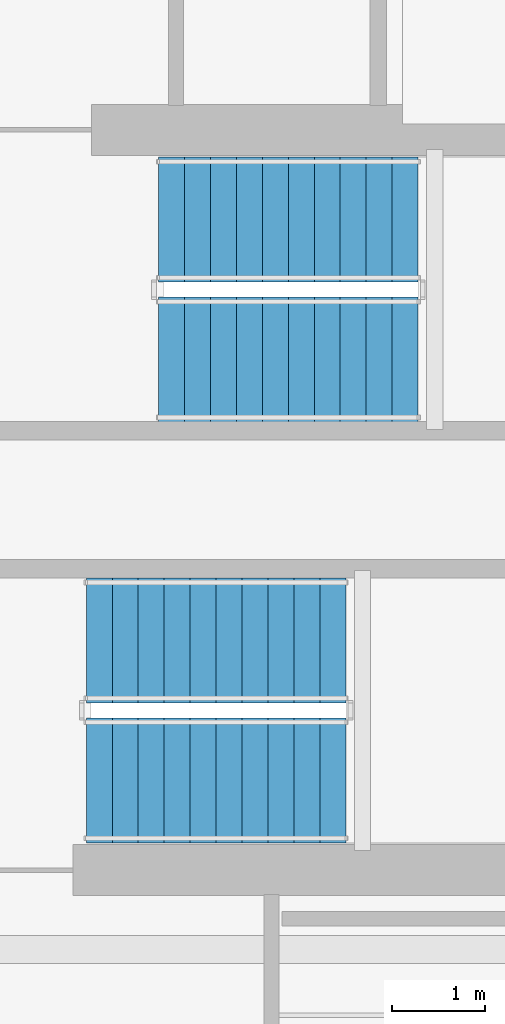
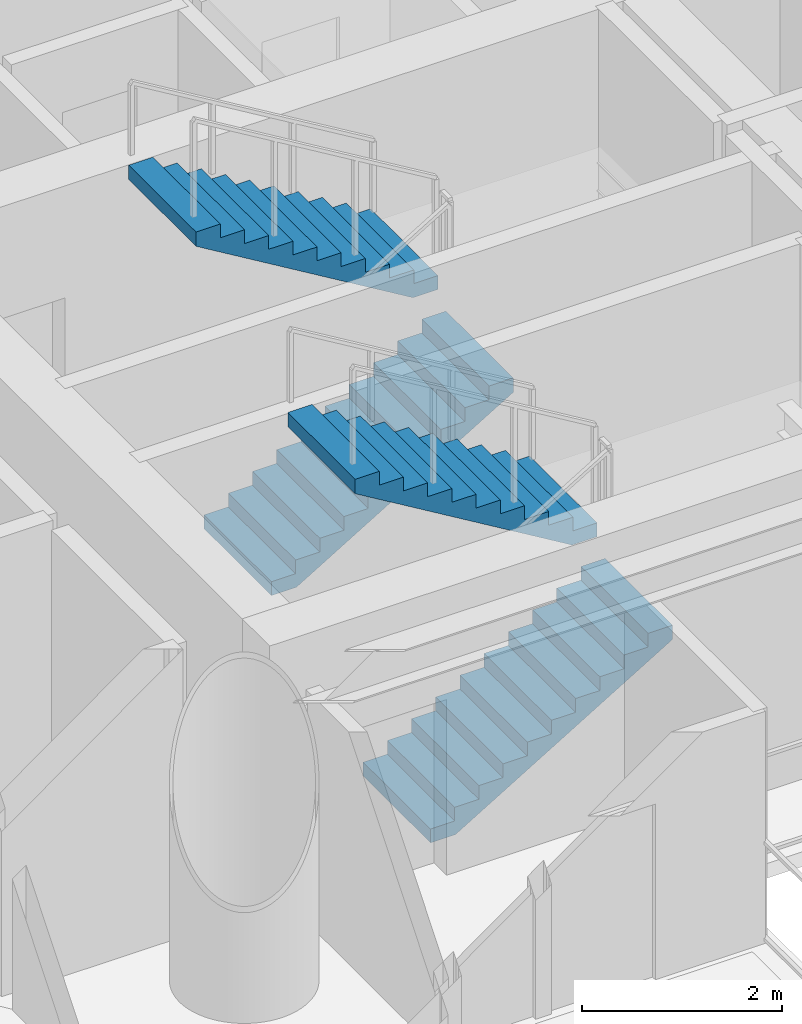
# One storey, part 18 of 21: 4 stair flights, 2 elements without a shape of their own.
"""IFC4 building model written with IfcOpenShell, lengths in metres."""

from ifc_helpers import new_model, si_unit, direction, frame, origin, place, context, subcontext, project, spatial, polyline, outline, extrude, material, type_object, element, aggregate, save


model = new_model("IFC4")

# Units and contexts
model_context = context("Model", 3, precision=1e-05, world=origin(), true_north=direction((0.0, 1.0)))
body_context = subcontext(model_context, "Body", "Model", "MODEL_VIEW")
ifc_project = project(units=[si_unit("LENGTHUNIT", "METRE"), si_unit("AREAUNIT", "SQUARE_METRE"), si_unit("VOLUMEUNIT", "CUBIC_METRE"), si_unit("PLANEANGLEUNIT", "RADIAN"), si_unit("MASSUNIT", "GRAM", prefix="KILO")], contexts=[model_context])

# Site, building, storey
site_placement = place(None, origin())
site = spatial("IfcSite", under=ifc_project, at=site_placement, CompositionType="ELEMENT")
building_placement = place(site_placement, origin())
building = spatial("IfcBuilding", under=site, at=building_placement, Name="Qianvela Tower", CompositionType="ELEMENT")
storey_placement = place(building_placement, frame((0.0, 0.0, 127.39990234375)))
storey = spatial("IfcBuildingStorey", under=building, at=storey_placement, Name="L32", CompositionType="ELEMENT", Elevation=127.39990234375)

# Stair, stair flights
ifc_material_1 = material(Name="Concrete C40", Category="concrete")
stair_type = type_object("IfcStairType", Name="ST-DOGLEG-1350-R168-N22", PredefinedType="HALF_TURN_STAIR", material=ifc_material_1)
stair_1_placement = place(storey_placement, origin())
stair_1 = element("IfcStair", 1, at=stair_1_placement, inside=storey, type_object=stair_type, Name="L32 Smoke-Proof Core Stair ST-1", PredefinedType="HALF_TURN_STAIR")
ifc_material_2 = material(Name="Concrete C40", Category="concrete")
stair_flight_type = type_object("IfcStairFlightType", Name="STF-STRAIGHT-R168-P11", PredefinedType="STRAIGHT", material=ifc_material_2)
stair_flight_1_placement = place(storey_placement, frame((32.199951171875, 30.215087890625, 0.0), z_axis=(0.0, 0.0, 1.0), x_axis=(1.0, 0.0, 0.0)))
stair_flight_1 = element("IfcStairFlight", 2, at=stair_flight_1_placement, type_object=stair_flight_type, Name="ST-1 flight 1", NumberOfRisers=11, NumberOfTreads=10, PredefinedType="STRAIGHT", RiserHeight=0.168181818, TreadLength=0.28, context=body_context, shape_type="SweptSolid", body=[
    extrude(outline(polyline([(0.0, 0.0), (0.0, 0.168212890625), (0.280029296875, 0.168212890625), (0.280029296875, 0.33642578125), (0.56005859375, 0.33642578125), (0.56005859375, 0.504638671875), (0.840087890625, 0.504638671875), (0.840087890625, 0.672607421875), (1.1201171875, 0.672607421875), (1.1201171875, 0.8408203125), (1.39990234375, 0.8408203125), (1.39990234375, 1.009033203125), (1.679931640625, 1.009033203125), (1.679931640625, 1.17724609375), (1.9599609375, 1.17724609375), (1.9599609375, 1.345458984375), (2.239990234375, 1.345458984375), (2.239990234375, 1.513671875), (2.52001953125, 1.513671875), (2.52001953125, 1.681884765625), (2.800048828125, 1.681884765625), (2.800048828125, 1.85009765625), (2.800048828125, 1.5068359375), (0.291015625, 0.0), (0.0, 0.0)])), frame((0.0, 0.675048828125, 0.0), z_axis=(0.0, -1.0, 0.0), x_axis=(1.0, 0.0, 0.0)), (0.0, 0.0, 1.0), 1.35009765625),
])
stair_flight_2_placement = place(storey_placement, frame((35.0, 31.72509765625, 1.85009765625), z_axis=(0.0, 0.0, 1.0), x_axis=(-1.0, 0.0, 0.0)))
stair_flight_2 = element("IfcStairFlight", 3, at=stair_flight_2_placement, type_object=stair_flight_type, Name="ST-1 flight 2", NumberOfRisers=11, NumberOfTreads=10, PredefinedType="STRAIGHT", RiserHeight=0.168181818, TreadLength=0.28, context=body_context, shape_type="SweptSolid", body=[
    extrude(outline(polyline([(0.0, 0.0), (0.0, 0.168212890625), (0.280029296875, 0.168212890625), (0.280029296875, 0.33642578125), (0.56005859375, 0.33642578125), (0.56005859375, 0.504638671875), (0.840087890625, 0.504638671875), (0.840087890625, 0.672607421875), (1.1201171875, 0.672607421875), (1.1201171875, 0.8408203125), (1.39990234375, 0.8408203125), (1.39990234375, 1.009033203125), (1.679931640625, 1.009033203125), (1.679931640625, 1.17724609375), (1.9599609375, 1.17724609375), (1.9599609375, 1.345458984375), (2.239990234375, 1.345458984375), (2.239990234375, 1.513671875), (2.52001953125, 1.513671875), (2.52001953125, 1.681884765625), (2.800048828125, 1.681884765625), (2.800048828125, 1.85009765625), (2.800048828125, 1.5068359375), (0.291015625, 0.0), (0.0, 0.0)])), frame((0.0, 0.675048828125, 0.0), z_axis=(0.0, -1.0, 0.0), x_axis=(1.0, 0.0, 0.0)), (0.0, 0.0, 1.0), 1.35009765625),
])
aggregate(stair_1, [stair_flight_1, stair_flight_2])

stair_2_placement = place(storey_placement, origin())
stair_2 = element("IfcStair", 4, at=stair_2_placement, inside=storey, type_object=stair_type, Name="L32 Smoke-Proof Core Stair ST-2", PredefinedType="HALF_TURN_STAIR")
stair_flight_3_placement = place(storey_placement, frame((31.419921875, 25.675048828125, 0.0), z_axis=(0.0, 0.0, 1.0), x_axis=(1.0, 0.0, 0.0)))
stair_flight_3 = element("IfcStairFlight", 5, at=stair_flight_3_placement, type_object=stair_flight_type, Name="ST-2 flight 1", NumberOfRisers=11, NumberOfTreads=10, PredefinedType="STRAIGHT", RiserHeight=0.168181818, TreadLength=0.28, context=body_context, shape_type="SweptSolid", body=[
    extrude(outline(polyline([(0.0, 0.0), (0.0, 0.168212890625), (0.280029296875, 0.168212890625), (0.280029296875, 0.33642578125), (0.56005859375, 0.33642578125), (0.56005859375, 0.504638671875), (0.840087890625, 0.504638671875), (0.840087890625, 0.672607421875), (1.1201171875, 0.672607421875), (1.1201171875, 0.8408203125), (1.39990234375, 0.8408203125), (1.39990234375, 1.009033203125), (1.679931640625, 1.009033203125), (1.679931640625, 1.17724609375), (1.9599609375, 1.17724609375), (1.9599609375, 1.345458984375), (2.239990234375, 1.345458984375), (2.239990234375, 1.513671875), (2.52001953125, 1.513671875), (2.52001953125, 1.681884765625), (2.800048828125, 1.681884765625), (2.800048828125, 1.85009765625), (2.800048828125, 1.5068359375), (0.291015625, 0.0), (0.0, 0.0)])), frame((0.0, 0.675048828125, 0.0), z_axis=(0.0, -1.0, 0.0), x_axis=(1.0, 0.0, 0.0)), (0.0, 0.0, 1.0), 1.35009765625),
])
stair_flight_4_placement = place(storey_placement, frame((34.219970703125, 27.18505859375, 1.85009765625), z_axis=(0.0, 0.0, 1.0), x_axis=(-1.0, 0.0, 0.0)))
stair_flight_4 = element("IfcStairFlight", 6, at=stair_flight_4_placement, type_object=stair_flight_type, Name="ST-2 flight 2", NumberOfRisers=11, NumberOfTreads=10, PredefinedType="STRAIGHT", RiserHeight=0.168181818, TreadLength=0.28, context=body_context, shape_type="SweptSolid", body=[
    extrude(outline(polyline([(0.0, 0.0), (0.0, 0.168212890625), (0.280029296875, 0.168212890625), (0.280029296875, 0.33642578125), (0.56005859375, 0.33642578125), (0.56005859375, 0.504638671875), (0.840087890625, 0.504638671875), (0.840087890625, 0.672607421875), (1.1201171875, 0.672607421875), (1.1201171875, 0.8408203125), (1.39990234375, 0.8408203125), (1.39990234375, 1.009033203125), (1.679931640625, 1.009033203125), (1.679931640625, 1.17724609375), (1.9599609375, 1.17724609375), (1.9599609375, 1.345458984375), (2.239990234375, 1.345458984375), (2.239990234375, 1.513671875), (2.52001953125, 1.513671875), (2.52001953125, 1.681884765625), (2.800048828125, 1.681884765625), (2.800048828125, 1.85009765625), (2.800048828125, 1.5068359375), (0.291015625, 0.0), (0.0, 0.0)])), frame((0.0, 0.675048828125, 0.0), z_axis=(0.0, -1.0, 0.0), x_axis=(1.0, 0.0, 0.0)), (0.0, 0.0, 1.0), 1.35009765625),
])
aggregate(stair_2, [stair_flight_3, stair_flight_4])

save(model, "model.ifc")
